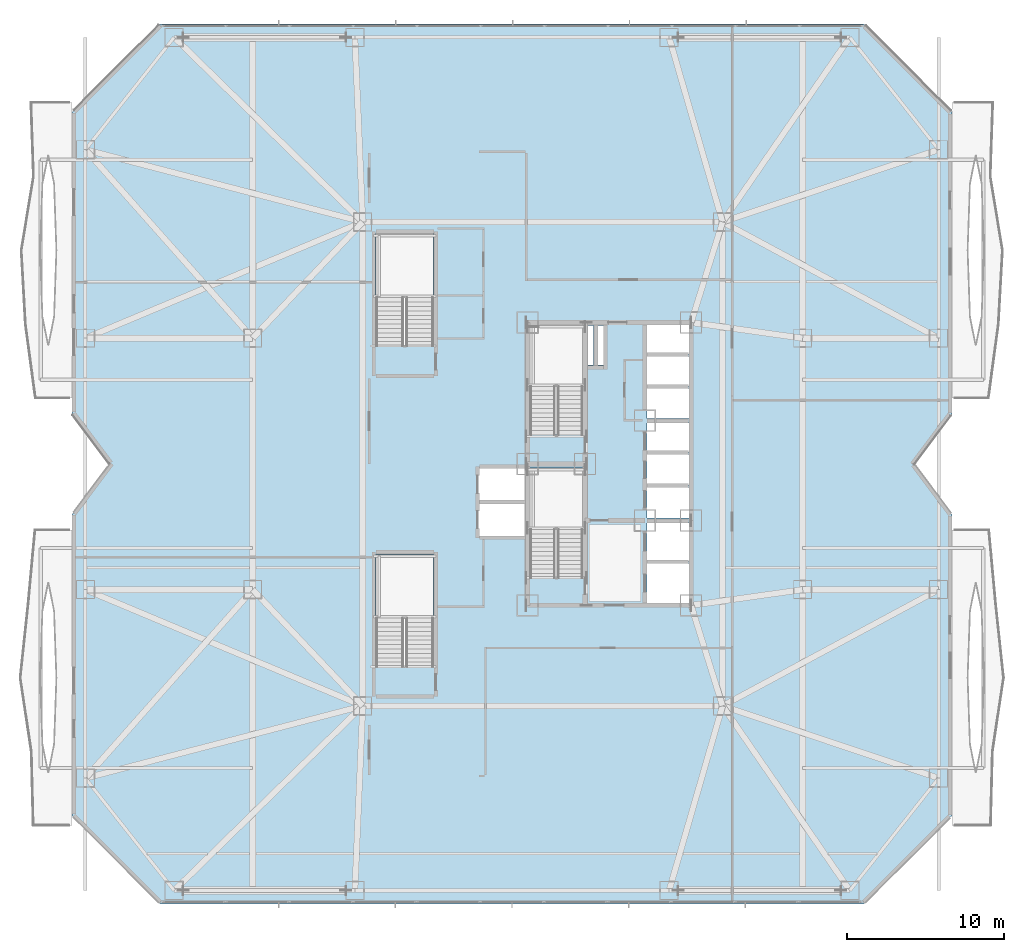
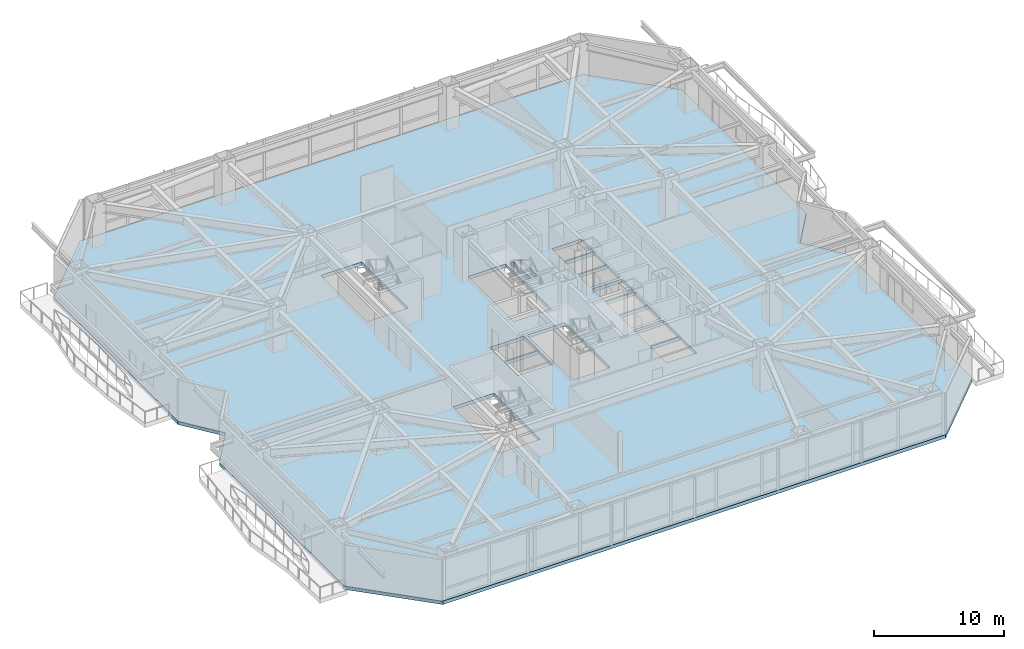
# One storey, part 17 of 32: 1 slab.
"""IFC4 building model written with IfcOpenShell, lengths in metres."""

from ifc_helpers import new_model, si_unit, direction, frame, origin, place, context, subcontext, project, spatial, polyline, outline, extrude, material, layer, layer_set, type_object, element, save


model = new_model("IFC4")

# Units and contexts
model_context = context("Model", 3, precision=1e-05, world=origin(), true_north=direction((0.0, 1.0)))
body_context = subcontext(model_context, "Body", "Model", "MODEL_VIEW")
ifc_project = project(units=[si_unit("LENGTHUNIT", "METRE"), si_unit("AREAUNIT", "SQUARE_METRE"), si_unit("VOLUMEUNIT", "CUBIC_METRE"), si_unit("PLANEANGLEUNIT", "RADIAN"), si_unit("MASSUNIT", "GRAM", prefix="KILO")], contexts=[model_context])

# Site, building, storey
site_placement = place(None, origin())
site = spatial("IfcSite", under=ifc_project, at=site_placement, CompositionType="ELEMENT")
building_placement = place(site_placement, origin())
building = spatial("IfcBuilding", under=site, at=building_placement, Name="Khamvora Tower", CompositionType="ELEMENT")
storey_placement = place(building_placement, frame((0.0, 0.0, 12.0)))
storey = spatial("IfcBuildingStorey", under=building, at=storey_placement, Name="L02", CompositionType="ELEMENT", Elevation=12.0)

# Slab
ifc_material = material(Name="Concrete C40/50", Category="concrete")
ifc_layer = layer(ifc_material, 0.320068359375)
ifc_layer_set = layer_set([ifc_layer], Name="Concrete C40/50")
slab_type = type_object("IfcSlabType", Name="SLB-TRN-320", PredefinedType="FLOOR", material=ifc_layer_set)
slab_placement = place(storey_placement, frame((0.0, 0.0, -0.320068359375)))
element("IfcSlab", 1, at=slab_placement, inside=storey, type_object=slab_type, Name="L02 structural floor slab", PredefinedType="FLOOR", context=body_context, shape_type="SweptSolid", body=[
    extrude(outline(polyline([(5.60009765625, 0.0), (50.39990234375, 0.0), (56.0, 5.60009765625), (56.0, 24.800048828125), (53.60009765625, 28.0), (56.0, 31.199951171875), (56.0, 50.39990234375), (50.39990234375, 56.0), (5.60009765625, 56.0), (0.0, 50.39990234375), (0.0, 31.199951171875), (2.39990234375, 28.0), (0.0, 24.800048828125), (0.0, 5.60009765625), (5.60009765625, 0.0)]), holes=[polyline([(32.5, 20.760009765625), (32.5, 27.75), (29.14990234375, 27.75), (29.14990234375, 20.760009765625), (32.5, 20.760009765625)]), polyline([(32.5, 29.860107421875), (32.5, 36.85009765625), (29.14990234375, 36.85009765625), (29.14990234375, 29.860107421875), (32.5, 29.860107421875)]), polyline([(23.0, 15.110107421875), (23.0, 22.25), (19.35009765625, 22.25), (19.35009765625, 15.110107421875), (23.0, 15.110107421875)]), polyline([(23.0, 35.510009765625), (23.0, 42.64990234375), (19.35009765625, 42.64990234375), (19.35009765625, 35.510009765625), (23.0, 35.510009765625)]), polyline([(36.60009765625, 19.14990234375), (39.25, 19.14990234375), (39.25, 21.64990234375), (36.60009765625, 21.64990234375), (36.60009765625, 19.14990234375)]), polyline([(36.60009765625, 21.800048828125), (39.25, 21.800048828125), (39.25, 24.25), (36.60009765625, 24.25), (36.60009765625, 21.800048828125)]), polyline([(36.60009765625, 24.550048828125), (39.25, 24.550048828125), (39.25, 26.5), (36.60009765625, 26.5), (36.60009765625, 24.550048828125)]), polyline([(36.60009765625, 26.64990234375), (39.25, 26.64990234375), (39.25, 28.60009765625), (36.60009765625, 28.60009765625), (36.60009765625, 26.64990234375)]), polyline([(36.60009765625, 28.75), (39.25, 28.75), (39.25, 30.60009765625), (36.60009765625, 30.60009765625), (36.60009765625, 28.75)]), polyline([(36.60009765625, 30.89990234375), (39.25, 30.89990234375), (39.25, 32.800048828125), (36.60009765625, 32.800048828125), (36.60009765625, 30.89990234375)]), polyline([(36.60009765625, 32.949951171875), (39.25, 32.949951171875), (39.25, 34.85009765625), (36.60009765625, 34.85009765625), (36.60009765625, 32.949951171875)]), polyline([(36.60009765625, 35.0), (39.25, 35.0), (39.25, 36.85009765625), (36.60009765625, 36.85009765625), (36.60009765625, 35.0)]), polyline([(25.800048828125, 23.39990234375), (28.85009765625, 23.39990234375), (28.85009765625, 25.5), (25.800048828125, 25.5), (25.800048828125, 23.39990234375)]), polyline([(25.800048828125, 25.64990234375), (28.85009765625, 25.64990234375), (28.85009765625, 27.75), (25.800048828125, 27.75), (25.800048828125, 25.64990234375)]), polyline([(32.800048828125, 34.300048828125), (33.199951171875, 34.300048828125), (33.199951171875, 36.800048828125), (32.800048828125, 36.800048828125), (32.800048828125, 34.300048828125)]), polyline([(33.47998046875, 34.300048828125), (33.820068359375, 34.300048828125), (33.820068359375, 36.800048828125), (33.47998046875, 36.800048828125), (33.47998046875, 34.300048828125)])]), origin(), (0.0, 0.0, 1.0), 0.320068359375),
])

save(model, "model.ifc")
